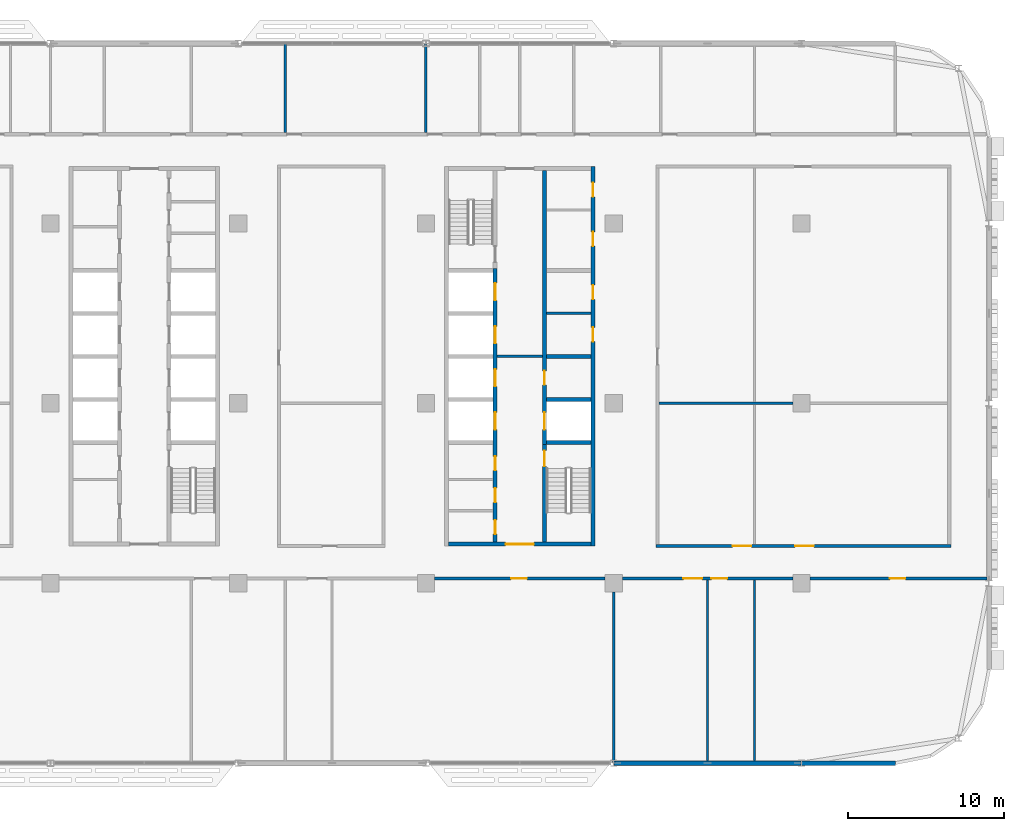
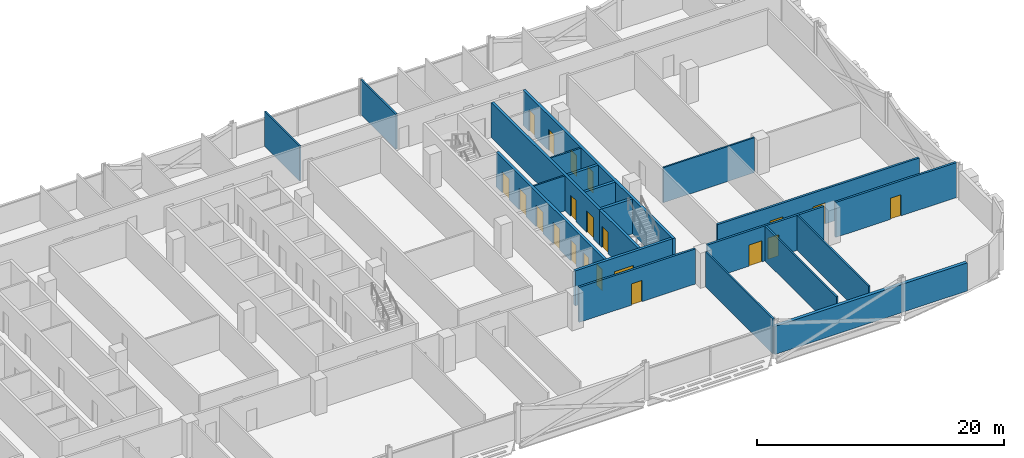
# One storey, part 17 of 30: 22 walls, 21 doors, 21 openings.
"""IFC4 building model written with IfcOpenShell, lengths in metres."""

from ifc_helpers import new_model, si_unit, direction, frame, frame_2d, origin, place, context, subcontext, project, spatial, rectangle, extrude, material, layer, layer_set, type_object, element, fill, save


model = new_model("IFC4")

# Units and contexts
model_context = context("Model", 3, precision=1e-05, world=origin(), true_north=direction((0.0, 1.0)))
body_context = subcontext(model_context, "Body", "Model", "MODEL_VIEW")
ifc_project = project(units=[si_unit("LENGTHUNIT", "METRE"), si_unit("AREAUNIT", "SQUARE_METRE"), si_unit("VOLUMEUNIT", "CUBIC_METRE"), si_unit("PLANEANGLEUNIT", "RADIAN"), si_unit("MASSUNIT", "GRAM", prefix="KILO")], contexts=[model_context])

# Site, building, storey
site_placement = place(None, origin())
site = spatial("IfcSite", under=ifc_project, at=site_placement, CompositionType="ELEMENT")
building_placement = place(site_placement, origin())
building = spatial("IfcBuilding", under=site, at=building_placement, Name="Mahtab Terrace Research Tower", CompositionType="ELEMENT")
storey_placement = place(building_placement, frame((0.0, 0.0, 216.699951171875)))
storey = spatial("IfcBuildingStorey", under=building, at=storey_placement, Name="L52", CompositionType="ELEMENT", Elevation=216.699951171875)

# Walls
ifc_material_1 = material(Name="Gypsum board partition")
ifc_layer_1 = layer(ifc_material_1, 0.14990234375)
ifc_layer_set_1 = layer_set([ifc_layer_1], Name="Core partition 150")
wall_type_1 = type_object("IfcWallType", Name="Core partition 150", PredefinedType="PARTITIONING", material=ifc_layer_set_1)
wall_1_placement = place(storey_placement, frame((22.550048828125, 3.0, 0.0), z_axis=(0.0, 0.0, 1.0), x_axis=(1.0, 0.0, 0.0)))
element("IfcWall", 1, at=wall_1_placement, inside=storey, type_object=wall_type_1, Name="Core wall C ffl", PredefinedType="PARTITIONING", context=body_context, shape_type="SweptSolid", body=[
    extrude(rectangle(XDim=2.89990234375, YDim=0.14990234375, at=frame_2d((1.449951171875, 0.0))), origin(), (0.0, 0.0, 1.0), 3.4599609375),
])
wall_2_placement = place(storey_placement, frame((25.699951171875, 5.75, 0.0), z_axis=(0.0, 0.0, 1.0), x_axis=(1.0, 0.0, 0.0)))
element("IfcWall", 2, at=wall_2_placement, inside=storey, type_object=wall_type_1, Name="Core wall C pEL275", PredefinedType="PARTITIONING", context=body_context, shape_type="SweptSolid", body=[
    extrude(rectangle(XDim=2.85009765625, YDim=0.14990234375, at=frame_2d((1.425048828125, 0.0))), origin(), (0.0, 0.0, 1.0), 3.4599609375),
])

# Wall, openings, doors
ifc_material_2 = material(Name="Concrete C70/85", Category="concrete")
ifc_layer_2 = layer(ifc_material_2, 0.25)
ifc_layer_set_2 = layer_set([ifc_layer_2], Name="Core wall 250")
wall_type_2 = type_object("IfcWallType", Name="Core wall 250", PredefinedType="SOLIDWALL", material=ifc_layer_set_2)
wall_3_placement = place(storey_placement, frame((28.675048828125, -9.125, 0.0), z_axis=(0.0, 0.0, 1.0), x_axis=(0.0, 1.0, 0.0)))
wall_3 = element("IfcWall", 3, at=wall_3_placement, inside=storey, type_object=wall_type_2, Name="Core wall C outerE", PredefinedType="SOLIDWALL", context=body_context, shape_type="SweptSolid", body=[
    extrude(rectangle(XDim=24.25, YDim=0.25, at=frame_2d((12.125, 0.0))), origin(), (0.0, 0.0, 1.0), 3.4599609375),
])
opening_1_placement = place(wall_3_placement, frame((13.074951171875, 0.0, 0.0)))
opening_1 = element("IfcOpeningElement", 4, at=opening_1_placement, cuts=wall_3, Name="Opening C-R2", PredefinedType="OPENING", context=body_context, shape_type="SweptSolid", body=[
    extrude(rectangle(XDim=0.89990234375, YDim=2.10009765625, at=frame_2d((0.449951171875, 1.050048828125))), frame((0.0, 0.135009765625, 0.0), z_axis=(0.0, -1.0, 0.0), x_axis=(1.0, 0.0, 0.0)), (0.0, 0.0, 1.0), 0.27001953125),
])
opening_2_placement = place(wall_3_placement, frame((15.77490234375, 0.0, 0.0)))
opening_2 = element("IfcOpeningElement", 5, at=opening_2_placement, cuts=wall_3, Name="Opening C-R3", PredefinedType="OPENING", context=body_context, shape_type="SweptSolid", body=[
    extrude(rectangle(XDim=0.89990234375, YDim=2.10009765625, at=frame_2d((0.449951171875, 1.050048828125))), frame((0.0, 0.135009765625, 0.0), z_axis=(0.0, -1.0, 0.0), x_axis=(1.0, 0.0, 0.0)), (0.0, 0.0, 1.0), 0.27001953125),
])
opening_3_placement = place(wall_3_placement, frame((19.175048828125, 0.0, 0.0)))
opening_3 = element("IfcOpeningElement", 6, at=opening_3_placement, cuts=wall_3, Name="Opening C-R7", PredefinedType="OPENING", context=body_context, shape_type="SweptSolid", body=[
    extrude(rectangle(XDim=0.89990234375, YDim=2.10009765625, at=frame_2d((0.449951171875, 1.050048828125))), frame((0.0, 0.135009765625, 0.0), z_axis=(0.0, -1.0, 0.0), x_axis=(1.0, 0.0, 0.0)), (0.0, 0.0, 1.0), 0.27001953125),
])
opening_4_placement = place(wall_3_placement, frame((22.327392578125, 0.0, 0.0)))
opening_4 = element("IfcOpeningElement", 7, at=opening_4_placement, cuts=wall_3, Name="Opening C-R8", PredefinedType="OPENING", context=body_context, shape_type="SweptSolid", body=[
    extrude(rectangle(XDim=0.89990234375, YDim=2.10009765625, at=frame_2d((0.449951171875, 1.050048828125))), frame((0.0, 0.135009765625, 0.0), z_axis=(0.0, -1.0, 0.0), x_axis=(1.0, 0.0, 0.0)), (0.0, 0.0, 1.0), 0.27001953125),
])
ifc_material_3 = material(Name="Steel fire door", Category="steel")
door_type_1 = type_object("IfcDoorType", Name="Room door 900x2100 1 HR", OperationType="NOTDEFINED", PredefinedType="DOOR", material=ifc_material_3)
door_1_placement = place(opening_1_placement, origin())
door_1 = element("IfcDoor", 8, at=door_1_placement, inside=storey, type_object=door_type_1, Name="Document store door", OperationType="SINGLE_SWING_RIGHT", OverallHeight=2.10009765625, OverallWidth=0.89990234375, PredefinedType="DOOR", context=body_context, shape_type="SweptSolid", body=[
    extrude(rectangle(XDim=0.89990234375, YDim=2.10009765625, at=frame_2d((0.449951171875, 1.050048828125))), frame((0.0, 0.02490234375, 0.0), z_axis=(0.0, -1.0, 0.0), x_axis=(1.0, 0.0, 0.0)), (0.0, 0.0, 1.0), 0.050048828125),
])
fill(opening_1, door_1)
door_2_placement = place(opening_2_placement, origin())
door_2 = element("IfcDoor", 9, at=door_2_placement, inside=storey, type_object=door_type_1, Name="IT equipment room door", OperationType="SINGLE_SWING_LEFT", OverallHeight=2.10009765625, OverallWidth=0.89990234375, PredefinedType="DOOR", context=body_context, shape_type="SweptSolid", body=[
    extrude(rectangle(XDim=0.89990234375, YDim=2.10009765625, at=frame_2d((0.449951171875, 1.050048828125))), frame((0.0, 0.02490234375, 0.0), z_axis=(0.0, -1.0, 0.0), x_axis=(1.0, 0.0, 0.0)), (0.0, 0.0, 1.0), 0.050048828125),
])
fill(opening_2, door_2)
door_3_placement = place(opening_3_placement, origin())
door_3 = element("IfcDoor", 10, at=door_3_placement, inside=storey, type_object=door_type_1, Name="Pantry door", OperationType="SINGLE_SWING_LEFT", OverallHeight=2.10009765625, OverallWidth=0.89990234375, PredefinedType="DOOR", context=body_context, shape_type="SweptSolid", body=[
    extrude(rectangle(XDim=0.89990234375, YDim=2.10009765625, at=frame_2d((0.449951171875, 1.050048828125))), frame((0.0, 0.02490234375, 0.0), z_axis=(0.0, -1.0, 0.0), x_axis=(1.0, 0.0, 0.0)), (0.0, 0.0, 1.0), 0.050048828125),
])
fill(opening_3, door_3)
door_4_placement = place(opening_4_placement, origin())
door_4 = element("IfcDoor", 11, at=door_4_placement, inside=storey, type_object=door_type_1, Name="Linen store door", OperationType="SINGLE_SWING_RIGHT", OverallHeight=2.10009765625, OverallWidth=0.89990234375, PredefinedType="DOOR", context=body_context, shape_type="SweptSolid", body=[
    extrude(rectangle(XDim=0.89990234375, YDim=2.10009765625, at=frame_2d((0.449951171875, 1.050048828125))), frame((0.0, 0.02490234375, 0.0), z_axis=(0.0, -1.0, 0.0), x_axis=(1.0, 0.0, 0.0)), (0.0, 0.0, 1.0), 0.050048828125),
])
fill(opening_4, door_4)

# Wall, opening, door
wall_4_placement = place(storey_placement, frame((28.550048828125, -9.0, 0.0), z_axis=(0.0, 0.0, 1.0), x_axis=(-1.0, 0.0, 0.0)))
wall_4 = element("IfcWall", 12, at=wall_4_placement, inside=storey, type_object=wall_type_2, Name="Core wall C endS", PredefinedType="SOLIDWALL", context=body_context, shape_type="SweptSolid", body=[
    extrude(rectangle(XDim=9.10009765625, YDim=0.25, at=frame_2d((4.550048828125, 0.0))), origin(), (0.0, 0.0, 1.0), 3.4599609375),
])
opening_5_placement = place(wall_4_placement, frame((3.64990234375, 0.0, 0.0)))
opening_5 = element("IfcOpeningElement", 13, at=opening_5_placement, cuts=wall_4, Name="Opening C-S1", PredefinedType="OPENING", context=body_context, shape_type="SweptSolid", body=[
    extrude(rectangle(XDim=1.800048828125, YDim=2.10009765625, at=frame_2d((0.89990234375, 1.050048828125))), frame((0.0, 0.135009765625, 0.0), z_axis=(0.0, -1.0, 0.0), x_axis=(1.0, 0.0, 0.0)), (0.0, 0.0, 1.0), 0.27001953125),
])
door_type_2 = type_object("IfcDoorType", Name="Lobby double door 1800x2100 1 HR", OperationType="DOUBLE_DOOR_SINGLE_SWING", PredefinedType="DOOR", material=ifc_material_3)
door_5_placement = place(opening_5_placement, origin())
door_5 = element("IfcDoor", 14, at=door_5_placement, inside=storey, type_object=door_type_2, Name="Core entrance door C S", OperationType="DOUBLE_DOOR_SINGLE_SWING", OverallHeight=2.10009765625, OverallWidth=1.800048828125, PredefinedType="DOOR", context=body_context, shape_type="SweptSolid", body=[
    extrude(rectangle(XDim=1.800048828125, YDim=2.10009765625, at=frame_2d((0.89990234375, 1.050048828125))), frame((0.0, 0.02490234375, 0.0), z_axis=(0.0, -1.0, 0.0), x_axis=(1.0, 0.0, 0.0)), (0.0, 0.0, 1.0), 0.050048828125),
])
fill(opening_5, door_5)

# Wall, openings, doors
wall_5_placement = place(storey_placement, frame((22.425048828125, -8.875, 0.0), z_axis=(0.0, 0.0, 1.0), x_axis=(0.0, 1.0, 0.0)))
wall_5 = element("IfcWall", 15, at=wall_5_placement, inside=storey, type_object=wall_type_2, Name="Core wall C innerWSL", PredefinedType="SOLIDWALL", context=body_context, shape_type="SweptSolid", body=[
    extrude(rectangle(XDim=17.5, YDim=0.25, at=frame_2d((8.75, 0.0))), origin(), (0.0, 0.0, 1.0), 3.4599609375),
])
opening_6_placement = place(wall_5_placement, frame((7.199951171875, 0.0, 0.0)))
opening_6 = element("IfcOpeningElement", 16, at=opening_6_placement, cuts=wall_5, Name="Opening LD17-L52", PredefinedType="OPENING", context=body_context, shape_type="SweptSolid", body=[
    extrude(rectangle(XDim=1.10009765625, YDim=2.10009765625, at=frame_2d((0.550048828125, 1.050048828125))), frame((0.0, 0.135009765625, 0.0), z_axis=(0.0, -1.0, 0.0), x_axis=(1.0, 0.0, 0.0)), (0.0, 0.0, 1.0), 0.27001953125),
])
opening_7_placement = place(wall_5_placement, frame((9.949951171875, 0.0, 0.0)))
opening_7 = element("IfcOpeningElement", 17, at=opening_7_placement, cuts=wall_5, Name="Opening LD18-L52", PredefinedType="OPENING", context=body_context, shape_type="SweptSolid", body=[
    extrude(rectangle(XDim=1.10009765625, YDim=2.10009765625, at=frame_2d((0.550048828125, 1.050048828125))), frame((0.0, 0.135009765625, 0.0), z_axis=(0.0, -1.0, 0.0), x_axis=(1.0, 0.0, 0.0)), (0.0, 0.0, 1.0), 0.27001953125),
])
opening_8_placement = place(wall_5_placement, frame((12.699951171875, 0.0, 0.0)))
opening_8 = element("IfcOpeningElement", 18, at=opening_8_placement, cuts=wall_5, Name="Opening LD19-L52", PredefinedType="OPENING", context=body_context, shape_type="SweptSolid", body=[
    extrude(rectangle(XDim=1.10009765625, YDim=2.10009765625, at=frame_2d((0.550048828125, 1.050048828125))), frame((0.0, 0.135009765625, 0.0), z_axis=(0.0, -1.0, 0.0), x_axis=(1.0, 0.0, 0.0)), (0.0, 0.0, 1.0), 0.27001953125),
])
opening_9_placement = place(wall_5_placement, frame((15.449951171875, 0.0, 0.0)))
opening_9 = element("IfcOpeningElement", 19, at=opening_9_placement, cuts=wall_5, Name="Opening LD20-L52", PredefinedType="OPENING", context=body_context, shape_type="SweptSolid", body=[
    extrude(rectangle(XDim=1.10009765625, YDim=2.10009765625, at=frame_2d((0.550048828125, 1.050048828125))), frame((0.0, 0.135009765625, 0.0), z_axis=(0.0, -1.0, 0.0), x_axis=(1.0, 0.0, 0.0)), (0.0, 0.0, 1.0), 0.27001953125),
])
opening_10_placement = place(wall_5_placement, frame((0.512451171875, 0.0, 0.0)))
opening_10 = element("IfcOpeningElement", 20, at=opening_10_placement, cuts=wall_5, Name="Opening C-R4", PredefinedType="OPENING", context=body_context, shape_type="SweptSolid", body=[
    extrude(rectangle(XDim=0.89990234375, YDim=2.10009765625, at=frame_2d((0.449951171875, 1.050048828125))), frame((0.0, 0.135009765625, 0.0), z_axis=(0.0, -1.0, 0.0), x_axis=(1.0, 0.0, 0.0)), (0.0, 0.0, 1.0), 0.27001953125),
])
opening_11_placement = place(wall_5_placement, frame((2.550048828125, 0.0, 0.0)))
opening_11 = element("IfcOpeningElement", 21, at=opening_11_placement, cuts=wall_5, Name="Opening C-R5", PredefinedType="OPENING", context=body_context, shape_type="SweptSolid", body=[
    extrude(rectangle(XDim=0.89990234375, YDim=2.10009765625, at=frame_2d((0.449951171875, 1.050048828125))), frame((0.0, 0.135009765625, 0.0), z_axis=(0.0, -1.0, 0.0), x_axis=(1.0, 0.0, 0.0)), (0.0, 0.0, 1.0), 0.27001953125),
])
opening_12_placement = place(wall_5_placement, frame((4.58740234375, 0.0, 0.0)))
opening_12 = element("IfcOpeningElement", 22, at=opening_12_placement, cuts=wall_5, Name="Opening C-R6", PredefinedType="OPENING", context=body_context, shape_type="SweptSolid", body=[
    extrude(rectangle(XDim=0.89990234375, YDim=2.10009765625, at=frame_2d((0.449951171875, 1.050048828125))), frame((0.0, 0.135009765625, 0.0), z_axis=(0.0, -1.0, 0.0), x_axis=(1.0, 0.0, 0.0)), (0.0, 0.0, 1.0), 0.27001953125),
])
ifc_material_4 = material(Name="Stainless steel AISI 304", Category="steel")
door_type_3 = type_object("IfcDoorType", Name="Landing door 1100x2100", OperationType="DOUBLE_DOOR_SLIDING", PredefinedType="DOOR", material=ifc_material_4)
door_6_placement = place(opening_6_placement, origin())
door_6 = element("IfcDoor", 23, at=door_6_placement, inside=storey, type_object=door_type_3, Name="Landing door SV1 L52", OperationType="DOUBLE_DOOR_SLIDING", OverallHeight=2.10009765625, OverallWidth=1.10009765625, PredefinedType="DOOR", context=body_context, shape_type="SweptSolid", body=[
    extrude(rectangle(XDim=1.10009765625, YDim=2.10009765625, at=frame_2d((0.550048828125, 1.050048828125))), frame((0.0, 0.02490234375, 0.0), z_axis=(0.0, -1.0, 0.0), x_axis=(1.0, 0.0, 0.0)), (0.0, 0.0, 1.0), 0.050048828125),
])
fill(opening_6, door_6)
door_7_placement = place(opening_7_placement, origin())
door_7 = element("IfcDoor", 24, at=door_7_placement, inside=storey, type_object=door_type_3, Name="Landing door SV2 L52", OperationType="DOUBLE_DOOR_SLIDING", OverallHeight=2.10009765625, OverallWidth=1.10009765625, PredefinedType="DOOR", context=body_context, shape_type="SweptSolid", body=[
    extrude(rectangle(XDim=1.10009765625, YDim=2.10009765625, at=frame_2d((0.550048828125, 1.050048828125))), frame((0.0, 0.02490234375, 0.0), z_axis=(0.0, -1.0, 0.0), x_axis=(1.0, 0.0, 0.0)), (0.0, 0.0, 1.0), 0.050048828125),
])
fill(opening_7, door_7)
door_8_placement = place(opening_8_placement, origin())
door_8 = element("IfcDoor", 25, at=door_8_placement, inside=storey, type_object=door_type_3, Name="Landing door FF1 L52", OperationType="DOUBLE_DOOR_SLIDING", OverallHeight=2.10009765625, OverallWidth=1.10009765625, PredefinedType="DOOR", context=body_context, shape_type="SweptSolid", body=[
    extrude(rectangle(XDim=1.10009765625, YDim=2.10009765625, at=frame_2d((0.550048828125, 1.050048828125))), frame((0.0, 0.02490234375, 0.0), z_axis=(0.0, -1.0, 0.0), x_axis=(1.0, 0.0, 0.0)), (0.0, 0.0, 1.0), 0.050048828125),
])
fill(opening_8, door_8)
door_9_placement = place(opening_9_placement, origin())
door_9 = element("IfcDoor", 26, at=door_9_placement, inside=storey, type_object=door_type_3, Name="Landing door FF2 L52", OperationType="DOUBLE_DOOR_SLIDING", OverallHeight=2.10009765625, OverallWidth=1.10009765625, PredefinedType="DOOR", context=body_context, shape_type="SweptSolid", body=[
    extrude(rectangle(XDim=1.10009765625, YDim=2.10009765625, at=frame_2d((0.550048828125, 1.050048828125))), frame((0.0, 0.02490234375, 0.0), z_axis=(0.0, -1.0, 0.0), x_axis=(1.0, 0.0, 0.0)), (0.0, 0.0, 1.0), 0.050048828125),
])
fill(opening_9, door_9)
door_10_placement = place(opening_10_placement, origin())
door_10 = element("IfcDoor", 27, at=door_10_placement, inside=storey, type_object=door_type_1, Name="Male WC door", OperationType="SINGLE_SWING_RIGHT", OverallHeight=2.10009765625, OverallWidth=0.89990234375, PredefinedType="DOOR", context=body_context, shape_type="SweptSolid", body=[
    extrude(rectangle(XDim=0.89990234375, YDim=2.10009765625, at=frame_2d((0.449951171875, 1.050048828125))), frame((0.0, 0.02490234375, 0.0), z_axis=(0.0, -1.0, 0.0), x_axis=(1.0, 0.0, 0.0)), (0.0, 0.0, 1.0), 0.050048828125),
])
fill(opening_10, door_10)
door_11_placement = place(opening_11_placement, origin())
door_11 = element("IfcDoor", 28, at=door_11_placement, inside=storey, type_object=door_type_1, Name="Female WC door", OperationType="SINGLE_SWING_LEFT", OverallHeight=2.10009765625, OverallWidth=0.89990234375, PredefinedType="DOOR", context=body_context, shape_type="SweptSolid", body=[
    extrude(rectangle(XDim=0.89990234375, YDim=2.10009765625, at=frame_2d((0.449951171875, 1.050048828125))), frame((0.0, 0.02490234375, 0.0), z_axis=(0.0, -1.0, 0.0), x_axis=(1.0, 0.0, 0.0)), (0.0, 0.0, 1.0), 0.050048828125),
])
fill(opening_11, door_11)
door_12_placement = place(opening_12_placement, origin())
door_12 = element("IfcDoor", 29, at=door_12_placement, inside=storey, type_object=door_type_1, Name="Accessible WC door", OperationType="SINGLE_SWING_RIGHT", OverallHeight=2.10009765625, OverallWidth=0.89990234375, PredefinedType="DOOR", context=body_context, shape_type="SweptSolid", body=[
    extrude(rectangle(XDim=0.89990234375, YDim=2.10009765625, at=frame_2d((0.449951171875, 1.050048828125))), frame((0.0, 0.02490234375, 0.0), z_axis=(0.0, -1.0, 0.0), x_axis=(1.0, 0.0, 0.0)), (0.0, 0.0, 1.0), 0.050048828125),
])
fill(opening_12, door_12)

# Wall, opening, door
wall_6_placement = place(storey_placement, frame((25.574951171875, -8.875, 0.0), z_axis=(0.0, 0.0, 1.0), x_axis=(0.0, 1.0, 0.0)))
wall_6 = element("IfcWall", 30, at=wall_6_placement, inside=storey, type_object=wall_type_2, Name="Core wall C innerES", PredefinedType="SOLIDWALL", context=body_context, shape_type="SweptSolid", body=[
    extrude(rectangle(XDim=6.25, YDim=0.25, at=frame_2d((3.125, 0.0))), origin(), (0.0, 0.0, 1.0), 3.4599609375),
])
opening_13_placement = place(wall_6_placement, frame((4.85009765625, 0.0, 0.0)))
opening_13 = element("IfcOpeningElement", 31, at=opening_13_placement, cuts=wall_6, Name="Opening C-ST4", PredefinedType="OPENING", context=body_context, shape_type="SweptSolid", body=[
    extrude(rectangle(XDim=1.0, YDim=2.10009765625, at=frame_2d((0.5, 1.050048828125))), frame((0.0, 0.135009765625, 0.0), z_axis=(0.0, -1.0, 0.0), x_axis=(1.0, 0.0, 0.0)), (0.0, 0.0, 1.0), 0.27001953125),
])
door_type_4 = type_object("IfcDoorType", Name="Stair door 1000x2100 1.5 HR", OperationType="NOTDEFINED", PredefinedType="DOOR", material=ifc_material_3)
door_13_placement = place(opening_13_placement, origin())
door_13 = element("IfcDoor", 32, at=door_13_placement, inside=storey, type_object=door_type_4, Name="Stair door ST4 L52", OperationType="SINGLE_SWING_RIGHT", OverallHeight=2.10009765625, OverallWidth=1.0, PredefinedType="DOOR", context=body_context, shape_type="SweptSolid", body=[
    extrude(rectangle(XDim=1.0, YDim=2.10009765625, at=frame_2d((0.5, 1.050048828125))), frame((0.0, 0.02490234375, 0.0), z_axis=(0.0, -1.0, 0.0), x_axis=(1.0, 0.0, 0.0)), (0.0, 0.0, 1.0), 0.050048828125),
])
fill(opening_13, door_13)

# Wall, openings, doors
wall_7_placement = place(storey_placement, frame((25.574951171875, 14.875, 0.0), z_axis=(0.0, 0.0, 1.0), x_axis=(0.0, -1.0, 0.0)))
wall_7 = element("IfcWall", 33, at=wall_7_placement, inside=storey, type_object=wall_type_2, Name="Core wall C innerELN", PredefinedType="SOLIDWALL", context=body_context, shape_type="SweptSolid", body=[
    extrude(rectangle(XDim=17.5, YDim=0.25, at=frame_2d((8.75, 0.0))), origin(), (0.0, 0.0, 1.0), 3.4599609375),
])
opening_14_placement = place(wall_7_placement, frame((15.449951171875, 0.0, 0.0)))
opening_14 = element("IfcOpeningElement", 34, at=opening_14_placement, cuts=wall_7, Name="Opening LD21-L52", PredefinedType="OPENING", context=body_context, shape_type="SweptSolid", body=[
    extrude(rectangle(XDim=1.10009765625, YDim=2.10009765625, at=frame_2d((0.550048828125, 1.050048828125))), frame((0.0, 0.135009765625, 0.0), z_axis=(0.0, -1.0, 0.0), x_axis=(1.0, 0.0, 0.0)), (0.0, 0.0, 1.0), 0.27001953125),
])
opening_15_placement = place(wall_7_placement, frame((12.800048828125, 0.0, 0.0)))
opening_15 = element("IfcOpeningElement", 35, at=opening_15_placement, cuts=wall_7, Name="Opening C-R1", PredefinedType="OPENING", context=body_context, shape_type="SweptSolid", body=[
    extrude(rectangle(XDim=0.89990234375, YDim=2.10009765625, at=frame_2d((0.449951171875, 1.050048828125))), frame((0.0, 0.135009765625, 0.0), z_axis=(0.0, -1.0, 0.0), x_axis=(1.0, 0.0, 0.0)), (0.0, 0.0, 1.0), 0.27001953125),
])
door_14_placement = place(opening_14_placement, origin())
door_14 = element("IfcDoor", 36, at=door_14_placement, inside=storey, type_object=door_type_3, Name="Landing door SV3 L52", OperationType="DOUBLE_DOOR_SLIDING", OverallHeight=2.10009765625, OverallWidth=1.10009765625, PredefinedType="DOOR", context=body_context, shape_type="SweptSolid", body=[
    extrude(rectangle(XDim=1.10009765625, YDim=2.10009765625, at=frame_2d((0.550048828125, 1.050048828125))), frame((0.0, 0.02490234375, 0.0), z_axis=(0.0, -1.0, 0.0), x_axis=(1.0, 0.0, 0.0)), (0.0, 0.0, 1.0), 0.050048828125),
])
fill(opening_14, door_14)
door_15_placement = place(opening_15_placement, origin())
door_15 = element("IfcDoor", 37, at=door_15_placement, inside=storey, type_object=door_type_1, Name="Plant room door", OperationType="SINGLE_SWING_LEFT", OverallHeight=2.10009765625, OverallWidth=0.89990234375, PredefinedType="DOOR", context=body_context, shape_type="SweptSolid", body=[
    extrude(rectangle(XDim=0.89990234375, YDim=2.10009765625, at=frame_2d((0.449951171875, 1.050048828125))), frame((0.0, 0.02490234375, 0.0), z_axis=(0.0, -1.0, 0.0), x_axis=(1.0, 0.0, 0.0)), (0.0, 0.0, 1.0), 0.050048828125),
])
fill(opening_15, door_15)

# Walls
for number, where, z_axis, x_axis, name in (
    (38, (25.699951171875, -2.5, 0.0), (0.0, 0.0, 1.0), (1.0, 0.0, 0.0), "Core wall C divE0"),
    (39, (25.699951171875, 0.25, 0.0), (0.0, 0.0, 1.0), (1.0, 0.0, 0.0), "Core wall C divE1"),
    (40, (25.699951171875, 3.0, 0.0), (0.0, 0.0, 1.0), (1.0, 0.0, 0.0), "Core wall C divE2"),
):
    element("IfcWall", number, at=place(storey_placement, frame(where, z_axis=z_axis, x_axis=x_axis)), inside=storey, type_object=wall_type_2, Name=name, PredefinedType="SOLIDWALL", context=body_context, shape_type="SweptSolid", body=[
        extrude(rectangle(XDim=2.85009765625, YDim=0.25, at=frame_2d((1.425048828125, 0.0))), origin(), (0.0, 0.0, 1.0), 3.4599609375),
    ])
ifc_material_5 = material(Name="Black aluminium cladding panel", Category="aluminium")
ifc_layer_3 = layer(ifc_material_5, 0.300048828125)
ifc_layer_set_3 = layer_set([ifc_layer_3], Name="Opaque facade wall 300")
wall_type_3 = type_object("IfcWallType", Name="Opaque facade wall 300", PredefinedType="NOTDEFINED", material=ifc_layer_set_3)
wall_8_placement = place(storey_placement, frame((30.012451171875, -23.0, 0.0), z_axis=(0.0, 0.0, 1.0), x_axis=(1.0, 0.0, 0.0)))
element("IfcWall", 41, at=wall_8_placement, inside=storey, type_object=wall_type_3, Name="Opaque facade wall L52 S29", PredefinedType="NOTDEFINED", context=body_context, shape_type="SweptSolid", body=[
    extrude(rectangle(XDim=11.97509765625, YDim=0.300048828125, at=frame_2d((5.987548828125, 0.0))), origin(), (0.0, 0.0, 1.0), 2.78173828125),
])
wall_9_placement = place(storey_placement, frame((42.012451171875, -23.0, 0.0), z_axis=(0.0, 0.0, 1.0), x_axis=(1.0, 0.0, 0.0)))
element("IfcWall", 42, at=wall_9_placement, inside=storey, type_object=wall_type_3, Name="Opaque facade wall L52 S30", PredefinedType="NOTDEFINED", context=body_context, shape_type="SweptSolid", body=[
    extrude(rectangle(XDim=5.987548828125, YDim=0.300048828125, at=frame_2d((2.99365234375, 0.0))), origin(), (0.0, 0.0, 1.0), 2.78173828125),
])

# Wall, opening, door
ifc_material_6 = material(Name="Gypsum board corridor wall on steel studs", Category="steel")
ifc_layer_4 = layer(ifc_material_6, 0.199951171875)
ifc_layer_set_4 = layer_set([ifc_layer_4], Name="WALL CORRIDOR 200")
wall_type_4 = type_object("IfcWallType", Name="WALL CORRIDOR 200", PredefinedType="PARTITIONING", material=ifc_layer_set_4)
wall_10_placement = place(storey_placement, frame((18.550048828125, -11.199951171875, 0.0), z_axis=(0.0, 0.0, 1.0), x_axis=(1.0, 0.0, 0.0)))
wall_10 = element("IfcWall", 43, at=wall_10_placement, inside=storey, type_object=wall_type_4, Name="L52-W006", PredefinedType="PARTITIONING", context=body_context, shape_type="SweptSolid", body=[
    extrude(rectangle(XDim=10.89990234375, YDim=0.199951171875, at=frame_2d((5.449951171875, 0.0))), origin(), (0.0, 0.0, 1.0), 3.4599609375),
])
opening_16_placement = place(wall_10_placement, frame((4.89990234375, 0.0, 0.0)))
opening_16 = element("IfcOpeningElement", 44, at=opening_16_placement, cuts=wall_10, Name="Opening L52-107", PredefinedType="OPENING", context=body_context, shape_type="SweptSolid", body=[
    extrude(rectangle(XDim=1.0, YDim=2.10009765625, at=frame_2d((0.5, 1.050048828125))), frame((0.0, 0.10986328125, 0.0), z_axis=(0.0, -1.0, 0.0), x_axis=(1.0, 0.0, 0.0)), (0.0, 0.0, 1.0), 0.219970703125),
])
ifc_material_7 = material(Name="Timber door leaf in steel frame", Category="steel")
door_type_5 = type_object("IfcDoorType", Name="DOOR 1000X2100 FD30S", OperationType="SINGLE_SWING_LEFT", PredefinedType="DOOR", material=ifc_material_7)
door_16_placement = place(opening_16_placement, origin())
door_16 = element("IfcDoor", 45, at=door_16_placement, inside=storey, type_object=door_type_5, Name="Door L52-107", OperationType="SINGLE_SWING_RIGHT", OverallHeight=2.10009765625, OverallWidth=1.0, PredefinedType="DOOR", context=body_context, shape_type="SweptSolid", body=[
    extrude(rectangle(XDim=1.0, YDim=2.10009765625, at=frame_2d((0.5, 1.050048828125))), frame((0.0, 0.02490234375, 0.0), z_axis=(0.0, -1.0, 0.0), x_axis=(1.0, 0.0, 0.0)), (0.0, 0.0, 1.0), 0.050048828125),
])
fill(opening_16, door_16)

# Wall, openings, doors
wall_11_placement = place(storey_placement, frame((30.550048828125, -11.199951171875, 0.0), z_axis=(0.0, 0.0, 1.0), x_axis=(1.0, 0.0, 0.0)))
wall_11 = element("IfcWall", 46, at=wall_11_placement, inside=storey, type_object=wall_type_4, Name="L52-W007", PredefinedType="PARTITIONING", context=body_context, shape_type="SweptSolid", body=[
    extrude(rectangle(XDim=10.89990234375, YDim=0.199951171875, at=frame_2d((5.449951171875, 0.0))), origin(), (0.0, 0.0, 1.0), 3.4599609375),
])
opening_17_placement = place(wall_11_placement, frame((3.89990234375, 0.0, 0.0)))
opening_17 = element("IfcOpeningElement", 47, at=opening_17_placement, cuts=wall_11, Name="Opening L52-108", PredefinedType="OPENING", context=body_context, shape_type="SweptSolid", body=[
    extrude(rectangle(XDim=1.199951171875, YDim=2.10009765625, at=frame_2d((0.60009765625, 1.050048828125))), frame((0.0, 0.10986328125, 0.0), z_axis=(0.0, -1.0, 0.0), x_axis=(1.0, 0.0, 0.0)), (0.0, 0.0, 1.0), 0.219970703125),
])
opening_18_placement = place(wall_11_placement, frame((5.699951171875, 0.0, 0.0)))
opening_18 = element("IfcOpeningElement", 48, at=opening_18_placement, cuts=wall_11, Name="Opening L52-109", PredefinedType="OPENING", context=body_context, shape_type="SweptSolid", body=[
    extrude(rectangle(XDim=1.0, YDim=2.10009765625, at=frame_2d((0.5, 1.050048828125))), frame((0.0, 0.10986328125, 0.0), z_axis=(0.0, -1.0, 0.0), x_axis=(1.0, 0.0, 0.0)), (0.0, 0.0, 1.0), 0.219970703125),
])
door_17_placement = place(opening_18_placement, origin())
door_17 = element("IfcDoor", 49, at=door_17_placement, inside=storey, type_object=door_type_5, Name="Door L52-109", OperationType="SINGLE_SWING_LEFT", OverallHeight=2.10009765625, OverallWidth=1.0, PredefinedType="DOOR", context=body_context, shape_type="SweptSolid", body=[
    extrude(rectangle(XDim=1.0, YDim=2.10009765625, at=frame_2d((0.5, 1.050048828125))), frame((0.0, 0.02490234375, 0.0), z_axis=(0.0, -1.0, 0.0), x_axis=(1.0, 0.0, 0.0)), (0.0, 0.0, 1.0), 0.050048828125),
])
fill(opening_18, door_17)
door_type_6 = type_object("IfcDoorType", Name="DOOR 1200X2100 FD30S", OperationType="SINGLE_SWING_LEFT", PredefinedType="DOOR", material=ifc_material_7)
door_18_placement = place(opening_17_placement, origin())
door_18 = element("IfcDoor", 50, at=door_18_placement, inside=storey, type_object=door_type_6, Name="Door L52-108", OperationType="SINGLE_SWING_RIGHT", OverallHeight=2.10009765625, OverallWidth=1.199951171875, PredefinedType="DOOR", context=body_context, shape_type="SweptSolid", body=[
    extrude(rectangle(XDim=1.199951171875, YDim=2.10009765625, at=frame_2d((0.60009765625, 1.050048828125))), frame((0.0, 0.02490234375, 0.0), z_axis=(0.0, -1.0, 0.0), x_axis=(1.0, 0.0, 0.0)), (0.0, 0.0, 1.0), 0.050048828125),
])
fill(opening_17, door_18)

# Wall, opening, door
wall_12_placement = place(storey_placement, frame((42.550048828125, -11.199951171875, 0.0), z_axis=(0.0, 0.0, 1.0), x_axis=(1.0, 0.0, 0.0)))
wall_12 = element("IfcWall", 51, at=wall_12_placement, inside=storey, type_object=wall_type_4, Name="L52-W008", PredefinedType="PARTITIONING", context=body_context, shape_type="SweptSolid", body=[
    extrude(rectangle(XDim=11.300048828125, YDim=0.199951171875, at=frame_2d((5.64990234375, 0.0))), origin(), (0.0, 0.0, 1.0), 3.4599609375),
])
opening_19_placement = place(wall_12_placement, frame((5.10009765625, 0.0, 0.0)))
opening_19 = element("IfcOpeningElement", 52, at=opening_19_placement, cuts=wall_12, Name="Opening L52-110", PredefinedType="OPENING", context=body_context, shape_type="SweptSolid", body=[
    extrude(rectangle(XDim=1.0, YDim=2.10009765625, at=frame_2d((0.5, 1.050048828125))), frame((0.0, 0.10986328125, 0.0), z_axis=(0.0, -1.0, 0.0), x_axis=(1.0, 0.0, 0.0)), (0.0, 0.0, 1.0), 0.219970703125),
])
door_19_placement = place(opening_19_placement, origin())
door_19 = element("IfcDoor", 53, at=door_19_placement, inside=storey, type_object=door_type_5, Name="Door L52-110", OperationType="SINGLE_SWING_RIGHT", OverallHeight=2.10009765625, OverallWidth=1.0, PredefinedType="DOOR", context=body_context, shape_type="SweptSolid", body=[
    extrude(rectangle(XDim=1.0, YDim=2.10009765625, at=frame_2d((0.5, 1.050048828125))), frame((0.0, 0.02490234375, 0.0), z_axis=(0.0, -1.0, 0.0), x_axis=(1.0, 0.0, 0.0)), (0.0, 0.0, 1.0), 0.050048828125),
])
fill(opening_19, door_19)

# Wall, openings, doors
wall_13_placement = place(storey_placement, frame((32.699951171875, -9.125, 0.0), z_axis=(0.0, 0.0, 1.0), x_axis=(1.0, 0.0, 0.0)))
wall_13 = element("IfcWall", 54, at=wall_13_placement, inside=storey, type_object=wall_type_4, Name="L52-W012", PredefinedType="PARTITIONING", context=body_context, shape_type="SweptSolid", body=[
    extrude(rectangle(XDim=18.85009765625, YDim=0.199951171875, at=frame_2d((9.425048828125, 0.0))), origin(), (0.0, 0.0, 1.0), 3.4599609375),
])
opening_20_placement = place(wall_13_placement, frame((4.89990234375, 0.0, 0.0)))
opening_20 = element("IfcOpeningElement", 55, at=opening_20_placement, cuts=wall_13, Name="Opening L52-114", PredefinedType="OPENING", context=body_context, shape_type="SweptSolid", body=[
    extrude(rectangle(XDim=1.199951171875, YDim=2.10009765625, at=frame_2d((0.60009765625, 1.050048828125))), frame((0.0, 0.10986328125, 0.0), z_axis=(0.0, -1.0, 0.0), x_axis=(1.0, 0.0, 0.0)), (0.0, 0.0, 1.0), 0.219970703125),
])
opening_21_placement = place(wall_13_placement, frame((8.89990234375, 0.0, 0.0)))
opening_21 = element("IfcOpeningElement", 56, at=opening_21_placement, cuts=wall_13, Name="Opening L52-115", PredefinedType="OPENING", context=body_context, shape_type="SweptSolid", body=[
    extrude(rectangle(XDim=1.199951171875, YDim=2.10009765625, at=frame_2d((0.60009765625, 1.050048828125))), frame((0.0, 0.10986328125, 0.0), z_axis=(0.0, -1.0, 0.0), x_axis=(1.0, 0.0, 0.0)), (0.0, 0.0, 1.0), 0.219970703125),
])
door_20_placement = place(opening_20_placement, origin())
door_20 = element("IfcDoor", 57, at=door_20_placement, inside=storey, type_object=door_type_6, Name="Door L52-114", OperationType="SINGLE_SWING_LEFT", OverallHeight=2.10009765625, OverallWidth=1.199951171875, PredefinedType="DOOR", context=body_context, shape_type="SweptSolid", body=[
    extrude(rectangle(XDim=1.199951171875, YDim=2.10009765625, at=frame_2d((0.60009765625, 1.050048828125))), frame((0.0, 0.02490234375, 0.0), z_axis=(0.0, -1.0, 0.0), x_axis=(1.0, 0.0, 0.0)), (0.0, 0.0, 1.0), 0.050048828125),
])
fill(opening_20, door_20)
door_21_placement = place(opening_21_placement, origin())
door_21 = element("IfcDoor", 58, at=door_21_placement, inside=storey, type_object=door_type_6, Name="Door L52-115", OperationType="SINGLE_SWING_RIGHT", OverallHeight=2.10009765625, OverallWidth=1.199951171875, PredefinedType="DOOR", context=body_context, shape_type="SweptSolid", body=[
    extrude(rectangle(XDim=1.199951171875, YDim=2.10009765625, at=frame_2d((0.60009765625, 1.050048828125))), frame((0.0, 0.02490234375, 0.0), z_axis=(0.0, -1.0, 0.0), x_axis=(1.0, 0.0, 0.0)), (0.0, 0.0, 1.0), 0.050048828125),
])
fill(opening_21, door_21)

# Walls
ifc_material_8 = material(Name="Gypsum board partition on steel studs", Category="steel")
ifc_layer_5 = layer(ifc_material_8, 0.14990234375)
ifc_layer_set_5 = layer_set([ifc_layer_5], Name="WALL PARTITION 150")
wall_type_5 = type_object("IfcWallType", Name="WALL PARTITION 150", PredefinedType="PARTITIONING", material=ifc_layer_set_5)
wall_14_placement = place(storey_placement, frame((32.89990234375, 0.0, 0.0), z_axis=(0.0, 0.0, 1.0), x_axis=(1.0, 0.0, 0.0)))
element("IfcWall", 59, at=wall_14_placement, inside=storey, type_object=wall_type_5, Name="L52-W016", PredefinedType="PARTITIONING", context=body_context, shape_type="SweptSolid", body=[
    extrude(rectangle(XDim=8.550048828125, YDim=0.14990234375, at=frame_2d((4.27490234375, 0.0))), origin(), (0.0, 0.0, 1.0), 3.4599609375),
])
for number, where, z_axis, x_axis, name in (
    (60, (9.0, 17.300048828125, 0.0), (0.0, 0.0, 1.0), (0.0, 1.0, 0.0), "L52-W041"),
    (61, (18.0, 17.300048828125, 0.0), (0.0, 0.0, 1.0), (0.0, 1.0, 0.0), "L52-W044"),
):
    element("IfcWall", number, at=place(storey_placement, frame(where, z_axis=z_axis, x_axis=x_axis)), inside=storey, type_object=wall_type_5, Name=name, PredefinedType="PARTITIONING", context=body_context, shape_type="SweptSolid", body=[
        extrude(rectangle(XDim=5.675048828125, YDim=0.14990234375, at=frame_2d((2.83740234375, 0.0))), origin(), (0.0, 0.0, 1.0), 3.4599609375),
    ])
wall_15_placement = place(storey_placement, frame((30.0, -22.97509765625, 0.0), z_axis=(0.0, 0.0, 1.0), x_axis=(0.0, 1.0, 0.0)))
element("IfcWall", 62, at=wall_15_placement, inside=storey, type_object=wall_type_5, Name="L52-W048", PredefinedType="PARTITIONING", context=body_context, shape_type="SweptSolid", body=[
    extrude(rectangle(XDim=10.925048828125, YDim=0.14990234375, at=frame_2d((5.46240234375, 0.0))), origin(), (0.0, 0.0, 1.0), 3.4599609375),
])
for number, where, z_axis, x_axis, name in (
    (63, (36.0, -22.85009765625, 0.0), (0.0, 0.0, 1.0), (0.0, 1.0, 0.0), "L52-W051"),
    (64, (39.0, -22.85009765625, 0.0), (0.0, 0.0, 1.0), (0.0, 1.0, 0.0), "L52-W052"),
):
    element("IfcWall", number, at=place(storey_placement, frame(where, z_axis=z_axis, x_axis=x_axis)), inside=storey, type_object=wall_type_5, Name=name, PredefinedType="PARTITIONING", context=body_context, shape_type="SweptSolid", body=[
        extrude(rectangle(XDim=11.550048828125, YDim=0.14990234375, at=frame_2d((5.77490234375, 0.0))), origin(), (0.0, 0.0, 1.0), 3.4599609375),
    ])

save(model, "model.ifc")
